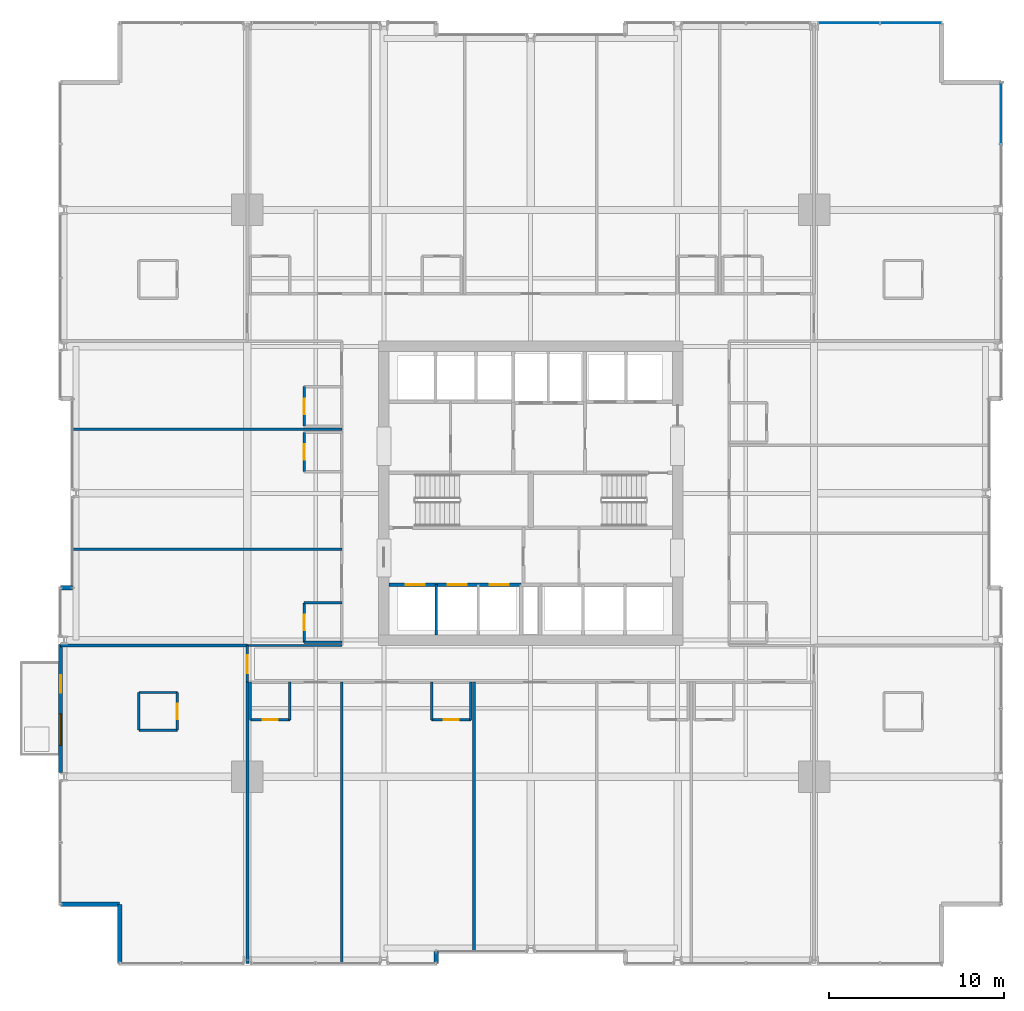
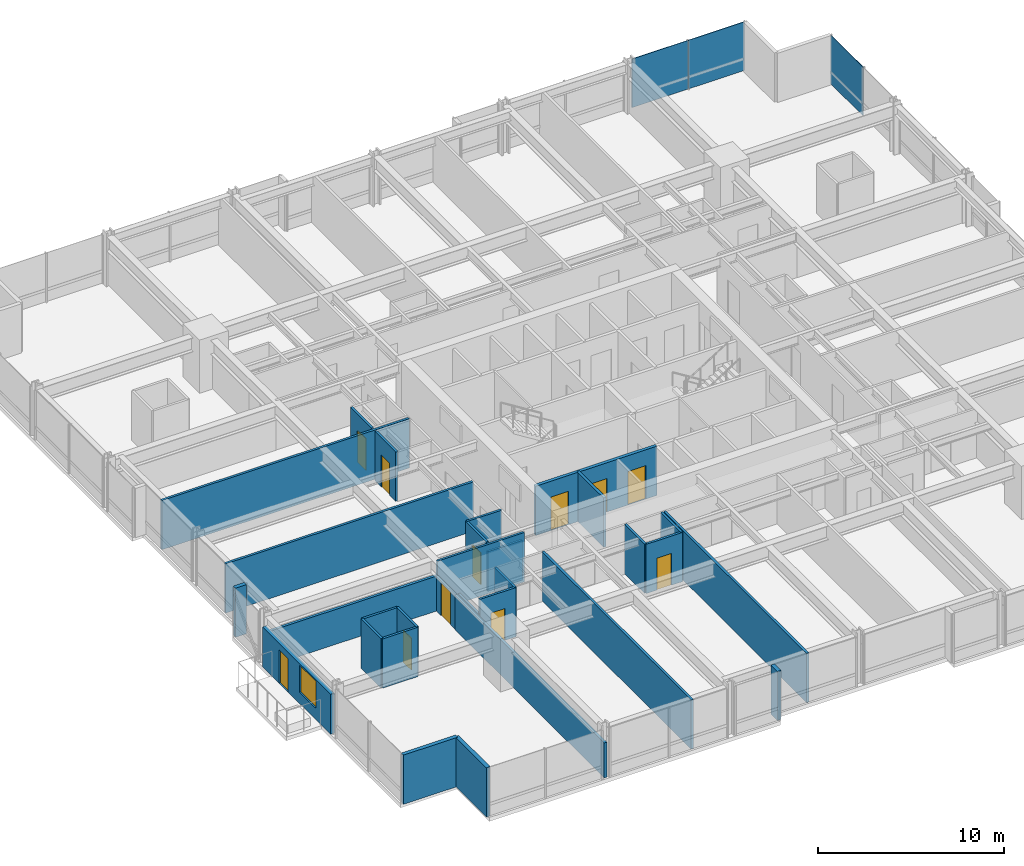
# One storey, part 30 of 39: 30 walls, 11 doors, 3 plates, 1 window, 12 openings, 2 elements without a shape of their own.
"""IFC4 building model written with IfcOpenShell, lengths in metres."""

from ifc_helpers import new_model, si_unit, direction, frame, frame_2d, origin, origin_2d, place, context, subcontext, project, spatial, rectangle, extrude, material, layer, layer_set, type_object, element, fill, aggregate, save


model = new_model("IFC4")

# Units and contexts
model_context = context("Model", 3, precision=1e-05, world=origin(), true_north=direction((0.0, 1.0)))
body_context = subcontext(model_context, "Body", "Model", "MODEL_VIEW")
ifc_project = project(units=[si_unit("LENGTHUNIT", "METRE"), si_unit("AREAUNIT", "SQUARE_METRE"), si_unit("VOLUMEUNIT", "CUBIC_METRE"), si_unit("PLANEANGLEUNIT", "RADIAN"), si_unit("MASSUNIT", "GRAM", prefix="KILO")], contexts=[model_context])

# Site, building, storey
site_placement = place(None, origin())
site = spatial("IfcSite", under=ifc_project, at=site_placement, CompositionType="ELEMENT")
building_placement = place(site_placement, origin())
building = spatial("IfcBuilding", under=site, at=building_placement, Name="Drelvath Grand Hotel", CompositionType="ELEMENT")
storey_placement = place(building_placement, frame((0.0, 0.0, 54.199951171875)))
storey = spatial("IfcBuildingStorey", under=building, at=storey_placement, Name="L12", CompositionType="ELEMENT", Elevation=54.199951171875)

# Curtain wall, plate
ifc_material_1 = material(Name="Warm Bronze Anodised Aluminium Frame", Category="aluminium")
ifc_layer_1 = layer(ifc_material_1, 0.199951171875)
ifc_layer_set_1 = layer_set([ifc_layer_1], Name="Warm Bronze Anodised Aluminium Frame")
curtain_wall_type = type_object("IfcCurtainWallType", Name="Stick Curtain Wall CW-02 Warm Bronze Low-Rise", PredefinedType="NOTDEFINED", material=ifc_layer_set_1)
curtain_wall_1_placement = place(storey_placement, origin())
curtain_wall_1 = element("IfcCurtainWall", 1, at=curtain_wall_1_placement, inside=storey, type_object=curtain_wall_type, Name="L12 CW-02 Curtain Wall CW02-L12-EN3", PredefinedType="NOTDEFINED")
ifc_material_2 = material(Name="Low-E Triple Silver Vision Glass Bronze Tint", Category="glass")
ifc_layer_2 = layer(ifc_material_2, 0.035888671875)
ifc_layer_set_2 = layer_set([ifc_layer_2], Name="Low-E Triple Silver Vision Glass Bronze Tint")
plate_type = type_object("IfcPlateType", Name="Curtain Wall Vision Panel CW-02 36mm", PredefinedType="CURTAIN_PANEL", material=ifc_layer_set_2)
plate_1_placement = place(storey_placement, frame((26.8798828125, 48.735107421875, 0.02001953125), z_axis=(0.0, 0.0, 1.0), x_axis=(0.0, -1.0, 0.0)))
plate_1 = element("IfcPlate", 2, at=plate_1_placement, type_object=plate_type, Name="CW02-L12-EN3 Glazed Panel 1", PredefinedType="CURTAIN_PANEL", context=body_context, shape_type="SweptSolid", body=[
    extrude(rectangle(XDim=3.489501953125, YDim=0.035888671875, at=origin_2d()), origin(), (0.0, 0.0, 1.0), 3.199951171875),
])
aggregate(curtain_wall_1, [plate_1])

# Curtain wall, plates
curtain_wall_2_placement = place(storey_placement, origin())
curtain_wall_2 = element("IfcCurtainWall", 3, at=curtain_wall_2_placement, inside=storey, type_object=curtain_wall_type, Name="L12 CW-02 Curtain Wall CW02-L12-NE3", PredefinedType="NOTDEFINED")
plate_2_placement = place(storey_placement, frame((18.205810546875, 53.8798828125, 0.02001953125), z_axis=(0.0, 0.0, 1.0), x_axis=(1.0, 0.0, 0.0)))
plate_2 = element("IfcPlate", 4, at=plate_2_placement, type_object=plate_type, Name="CW02-L12-NE3 Glazed Panel 1", PredefinedType="CURTAIN_PANEL", context=body_context, shape_type="SweptSolid", body=[
    extrude(rectangle(XDim=3.489501953125, YDim=0.035888671875, at=origin_2d()), origin(), (0.0, 0.0, 1.0), 3.199951171875),
])
plate_3_placement = place(storey_placement, frame((21.735107421875, 53.8798828125, 0.02001953125), z_axis=(0.0, 0.0, 1.0), x_axis=(1.0, 0.0, 0.0)))
plate_3 = element("IfcPlate", 5, at=plate_3_placement, type_object=plate_type, Name="CW02-L12-NE3 Glazed Panel 2", PredefinedType="CURTAIN_PANEL", context=body_context, shape_type="SweptSolid", body=[
    extrude(rectangle(XDim=3.489501953125, YDim=0.035888671875, at=origin_2d()), origin(), (0.0, 0.0, 1.0), 3.199951171875),
])
aggregate(curtain_wall_2, [plate_2, plate_3])

# Wall, openings, doors
ifc_material_3 = material(Name="Concrete C40/50", Category="concrete")
ifc_layer_3 = layer(ifc_material_3, 0.199951171875)
ifc_layer_set_3 = layer_set([ifc_layer_3], Name="Concrete C40/50")
wall_type_1 = type_object("IfcWallType", Name="Core Hoistway Fire Wall 200", PredefinedType="SOLIDWALL", material=ifc_layer_set_3)
wall_1_placement = place(storey_placement, frame((-0.550048828125, 21.780029296875, 0.0), z_axis=(0.0, 0.0, 1.0), x_axis=(-1.0, 0.0, 0.0)))
wall_1 = element("IfcWall", 6, at=wall_1_placement, inside=storey, type_object=wall_type_1, Name="L12 Bank 1 Hoistway Wall", PredefinedType="SOLIDWALL", context=body_context, shape_type="SweptSolid", body=[
    extrude(rectangle(XDim=7.550048828125, YDim=0.199951171875, at=frame_2d((3.77490234375, 0.0))), origin(), (0.0, 0.0, 1.0), 3.239990234375),
])
opening_1_placement = place(wall_1_placement, frame((5.5, 0.0, 0.0)))
opening_1 = element("IfcOpeningElement", 7, at=opening_1_placement, cuts=wall_1, Name="Opening LD-PE-1", PredefinedType="OPENING", context=body_context, shape_type="SweptSolid", body=[
    extrude(rectangle(XDim=1.10009765625, YDim=2.199951171875, at=frame_2d((0.550048828125, 1.10009765625))), frame((0.0, 0.10986328125, 0.0), z_axis=(0.0, -1.0, 0.0), x_axis=(1.0, 0.0, 0.0)), (0.0, 0.0, 1.0), 0.219970703125),
])
opening_2_placement = place(wall_1_placement, frame((3.10009765625, 0.0, 0.0)))
opening_2 = element("IfcOpeningElement", 8, at=opening_2_placement, cuts=wall_1, Name="Opening LD-PE-2", PredefinedType="OPENING", context=body_context, shape_type="SweptSolid", body=[
    extrude(rectangle(XDim=1.10009765625, YDim=2.199951171875, at=frame_2d((0.550048828125, 1.10009765625))), frame((0.0, 0.10986328125, 0.0), z_axis=(0.0, -1.0, 0.0), x_axis=(1.0, 0.0, 0.0)), (0.0, 0.0, 1.0), 0.219970703125),
])
opening_3_placement = place(wall_1_placement, frame((0.699951171875, 0.0, 0.0)))
opening_3 = element("IfcOpeningElement", 9, at=opening_3_placement, cuts=wall_1, Name="Opening LD-PE-3", PredefinedType="OPENING", context=body_context, shape_type="SweptSolid", body=[
    extrude(rectangle(XDim=1.10009765625, YDim=2.199951171875, at=frame_2d((0.550048828125, 1.10009765625))), frame((0.0, 0.10986328125, 0.0), z_axis=(0.0, -1.0, 0.0), x_axis=(1.0, 0.0, 0.0)), (0.0, 0.0, 1.0), 0.219970703125),
])
ifc_material_4 = material(Name="Stainless Steel S355", Category="steel")
door_type_1 = type_object("IfcDoorType", Name="Passenger Lift Sliding Landing Door 1100x2200", OperationType="NOTDEFINED", PredefinedType="DOOR", material=ifc_material_4)
door_1_placement = place(opening_1_placement, origin())
door_1 = element("IfcDoor", 10, at=door_1_placement, inside=storey, type_object=door_type_1, Name="L12 Lift PE-1 Landing Door", OperationType="SLIDING_TO_LEFT", OverallHeight=2.199951171875, OverallWidth=1.10009765625, PredefinedType="DOOR", context=body_context, shape_type="SweptSolid", body=[
    extrude(rectangle(XDim=1.10009765625, YDim=2.199951171875, at=frame_2d((0.550048828125, 1.10009765625))), frame((0.0, 0.02490234375, 0.0), z_axis=(0.0, -1.0, 0.0), x_axis=(1.0, 0.0, 0.0)), (0.0, 0.0, 1.0), 0.050048828125),
])
fill(opening_1, door_1)
door_2_placement = place(opening_2_placement, origin())
door_2 = element("IfcDoor", 11, at=door_2_placement, inside=storey, type_object=door_type_1, Name="L12 Lift PE-2 Landing Door", OperationType="SLIDING_TO_LEFT", OverallHeight=2.199951171875, OverallWidth=1.10009765625, PredefinedType="DOOR", context=body_context, shape_type="SweptSolid", body=[
    extrude(rectangle(XDim=1.10009765625, YDim=2.199951171875, at=frame_2d((0.550048828125, 1.10009765625))), frame((0.0, 0.02490234375, 0.0), z_axis=(0.0, -1.0, 0.0), x_axis=(1.0, 0.0, 0.0)), (0.0, 0.0, 1.0), 0.050048828125),
])
fill(opening_2, door_2)
door_3_placement = place(opening_3_placement, origin())
door_3 = element("IfcDoor", 12, at=door_3_placement, inside=storey, type_object=door_type_1, Name="L12 Lift PE-3 Landing Door", OperationType="SLIDING_TO_LEFT", OverallHeight=2.199951171875, OverallWidth=1.10009765625, PredefinedType="DOOR", context=body_context, shape_type="SweptSolid", body=[
    extrude(rectangle(XDim=1.10009765625, YDim=2.199951171875, at=frame_2d((0.550048828125, 1.10009765625))), frame((0.0, 0.02490234375, 0.0), z_axis=(0.0, -1.0, 0.0), x_axis=(1.0, 0.0, 0.0)), (0.0, 0.0, 1.0), 0.050048828125),
])
fill(opening_3, door_3)

# Walls
ifc_material_5 = material(Name="Gypsum Fireboard Partition")
ifc_layer_4 = layer(ifc_material_5, 0.1650390625)
ifc_layer_set_4 = layer_set([ifc_layer_4], Name="Gypsum Fireboard Partition")
wall_type_2 = type_object("IfcWallType", Name="Core Shaft Partition 165", PredefinedType="PARTITIONING", material=ifc_layer_set_4)
wall_2_placement = place(storey_placement, frame((-5.39990234375, 18.89990234375, 0.0), z_axis=(0.0, 0.0, 1.0), x_axis=(0.0, 1.0, 0.0)))
element("IfcWall", 13, at=wall_2_placement, inside=storey, type_object=wall_type_2, Name="L12 Lift PE-1/2 Divider", PredefinedType="PARTITIONING", context=body_context, shape_type="SweptSolid", body=[
    extrude(rectangle(XDim=2.880126953125, YDim=0.1650390625, at=frame_2d((1.43994140625, 0.0))), origin(), (0.0, 0.0, 1.0), 3.239990234375),
])
ifc_layer_5 = layer(ifc_material_5, 0.135009765625)
ifc_layer_set_5 = layer_set([ifc_layer_5], Name="Gypsum Fireboard Partition")
wall_type_3 = type_object("IfcWallType", Name="Corridor Fire Barrier Wall 135", PredefinedType="PARTITIONING", material=ifc_layer_set_5)
wall_3_placement = place(storey_placement, frame((-16.199951171875, 18.300048828125, 0.0), z_axis=(0.0, 0.0, 1.0), x_axis=(1.0, 0.0, 0.0)))
element("IfcWall", 14, at=wall_3_placement, inside=storey, type_object=wall_type_3, Name="L12 SW Spur Inner Wall", PredefinedType="PARTITIONING", context=body_context, shape_type="SweptSolid", body=[
    extrude(rectangle(XDim=5.39990234375, YDim=0.135009765625, at=frame_2d((2.699951171875, 0.0))), origin(), (0.0, 0.0, 1.0), 3.239990234375),
])

# Wall, opening, door
wall_4_placement = place(storey_placement, frame((-16.199951171875, 16.199951171875, 0.0), z_axis=(0.0, 0.0, 1.0), x_axis=(0.0, 1.0, 0.0)))
wall_4 = element("IfcWall", 15, at=wall_4_placement, inside=storey, type_object=wall_type_3, Name="L12 South Corridor West End", PredefinedType="PARTITIONING", context=body_context, shape_type="SweptSolid", body=[
    extrude(rectangle(XDim=2.10009765625, YDim=0.135009765625, at=frame_2d((1.050048828125, 0.0))), origin(), (0.0, 0.0, 1.0), 2.29833984375),
])
opening_4_placement = place(wall_4_placement, frame((0.52001953125, 0.0, 0.0)))
opening_4 = element("IfcOpeningElement", 16, at=opening_4_placement, cuts=wall_4, Name="Opening D-T1G3-018", PredefinedType="OPENING", context=body_context, shape_type="SweptSolid", body=[
    extrude(rectangle(XDim=1.02001953125, YDim=2.14990234375, at=frame_2d((0.510009765625, 1.074951171875))), frame((0.0, 0.077392578125, 0.0), z_axis=(0.0, -1.0, 0.0), x_axis=(1.0, 0.0, 0.0)), (0.0, 0.0, 1.0), 0.155029296875),
])
ifc_material_6 = material(Name="Hardwood Walnut Timber", Category="wood")
door_type_2 = type_object("IfcDoorType", Name="Amenity Meeting Fire Door 1020x2150", OperationType="NOTDEFINED", PredefinedType="DOOR", material=ifc_material_6)
door_4_placement = place(opening_4_placement, origin())
door_4 = element("IfcDoor", 17, at=door_4_placement, inside=storey, type_object=door_type_2, Name="L12 Corner Suite Entry Door", OperationType="SINGLE_SWING_LEFT", OverallHeight=2.14990234375, OverallWidth=1.02001953125, PredefinedType="DOOR", context=body_context, shape_type="SweptSolid", body=[
    extrude(rectangle(XDim=1.02001953125, YDim=2.14990234375, at=frame_2d((0.510009765625, 1.074951171875))), frame((0.0, 0.02490234375, 0.0), z_axis=(0.0, -1.0, 0.0), x_axis=(1.0, 0.0, 0.0)), (0.0, 0.0, 1.0), 0.050048828125),
])
fill(opening_4, door_4)

# Walls
ifc_material_7 = material(Name="Moisture-Resistant Gypsum Board")
ifc_layer_6 = layer(ifc_material_7, 0.139892578125)
ifc_layer_set_6 = layer_set([ifc_layer_6], Name="Moisture-Resistant Gypsum Board")
wall_type_4 = type_object("IfcWallType", Name="En-Suite Plumbing Wall 140", PredefinedType="PLUMBINGWALL", material=ifc_layer_set_6)
for number, where, z_axis, x_axis, name in (
    (18, (-22.39990234375, 13.4599609375, 0.0), (0.0, 0.0, 1.0), (1.0, 0.0, 0.0), "L12 Corner En-Suite South"),
    (19, (-22.39990234375, 15.610107421875, 0.0), (0.0, 0.0, 1.0), (1.0, 0.0, 0.0), "L12 Corner En-Suite North"),
):
    element("IfcWall", number, at=place(storey_placement, frame(where, z_axis=z_axis, x_axis=x_axis)), inside=storey, type_object=wall_type_4, Name=name, PredefinedType="PLUMBINGWALL", context=body_context, shape_type="SweptSolid", body=[
        extrude(rectangle(XDim=2.199951171875, YDim=0.139892578125, at=frame_2d((1.10009765625, 0.0))), origin(), (0.0, 0.0, 1.0), 3.239990234375),
    ])
wall_5_placement = place(storey_placement, frame((-22.39990234375, 13.4599609375, 0.0), z_axis=(0.0, 0.0, 1.0), x_axis=(0.0, 1.0, 0.0)))
element("IfcWall", 20, at=wall_5_placement, inside=storey, type_object=wall_type_4, Name="L12 Corner En-Suite West", PredefinedType="PLUMBINGWALL", context=body_context, shape_type="SweptSolid", body=[
    extrude(rectangle(XDim=2.150146484375, YDim=0.139892578125, at=frame_2d((1.0751953125, 0.0))), origin(), (0.0, 0.0, 1.0), 3.239990234375),
])

# Wall, opening, door
wall_6_placement = place(storey_placement, frame((-20.199951171875, 13.4599609375, 0.0), z_axis=(0.0, 0.0, 1.0), x_axis=(0.0, 1.0, 0.0)))
wall_6 = element("IfcWall", 21, at=wall_6_placement, inside=storey, type_object=wall_type_4, Name="L12 Corner En-Suite East", PredefinedType="PLUMBINGWALL", context=body_context, shape_type="SweptSolid", body=[
    extrude(rectangle(XDim=2.150146484375, YDim=0.139892578125, at=frame_2d((1.0751953125, 0.0))), origin(), (0.0, 0.0, 1.0), 3.239990234375),
])
opening_5_placement = place(wall_6_placement, frame((0.6201171875, 0.0, 0.0)))
opening_5 = element("IfcOpeningElement", 22, at=opening_5_placement, cuts=wall_6, Name="Opening D-T1G3-017", PredefinedType="OPENING", context=body_context, shape_type="SweptSolid", body=[
    extrude(rectangle(XDim=0.8798828125, YDim=2.10009765625, at=frame_2d((0.43994140625, 1.050048828125))), frame((0.0, 0.079833984375, 0.0), z_axis=(0.0, -1.0, 0.0), x_axis=(1.0, 0.0, 0.0)), (0.0, 0.0, 1.0), 0.159912109375),
])
door_type_3 = type_object("IfcDoorType", Name="En-Suite Bathroom Door 880x2100", OperationType="NOTDEFINED", PredefinedType="DOOR", material=ifc_material_6)
door_5_placement = place(opening_5_placement, origin())
door_5 = element("IfcDoor", 23, at=door_5_placement, inside=storey, type_object=door_type_3, Name="L12 Corner En-Suite Door", OperationType="SINGLE_SWING_RIGHT", OverallHeight=2.10009765625, OverallWidth=0.8798828125, PredefinedType="DOOR", context=body_context, shape_type="SweptSolid", body=[
    extrude(rectangle(XDim=0.8798828125, YDim=2.10009765625, at=frame_2d((0.43994140625, 1.050048828125))), frame((0.0, 0.02490234375, 0.0), z_axis=(0.0, -1.0, 0.0), x_axis=(1.0, 0.0, 0.0)), (0.0, 0.0, 1.0), 0.050048828125),
])
fill(opening_5, door_5)

# Walls
wall_7_placement = place(storey_placement, frame((-16.02001953125, 16.199951171875, 0.0), z_axis=(0.0, 0.0, 1.0), x_axis=(0.0, -1.0, 0.0)))
element("IfcWall", 24, at=wall_7_placement, inside=storey, type_object=wall_type_4, Name="L12 En-Suite Left Wall", PredefinedType="PLUMBINGWALL", context=body_context, shape_type="SweptSolid", body=[
    extrude(rectangle(XDim=2.14990234375, YDim=0.139892578125, at=frame_2d((1.074951171875, 0.0))), origin(), (0.0, 0.0, 1.0), 2.29833984375),
])
wall_8_placement = place(storey_placement, frame((-13.77001953125, 16.199951171875, 0.0), z_axis=(0.0, 0.0, 1.0), x_axis=(0.0, -1.0, 0.0)))
element("IfcWall", 25, at=wall_8_placement, inside=storey, type_object=wall_type_4, Name="L12 En-Suite Right Wall", PredefinedType="PLUMBINGWALL", context=body_context, shape_type="SweptSolid", body=[
    extrude(rectangle(XDim=2.14990234375, YDim=0.139892578125, at=frame_2d((1.074951171875, 0.0))), origin(), (0.0, 0.0, 1.0), 3.239990234375),
])

# Wall, opening, door
wall_9_placement = place(storey_placement, frame((-16.02001953125, 14.050048828125, 0.0), z_axis=(0.0, 0.0, 1.0), x_axis=(1.0, 0.0, 0.0)))
wall_9 = element("IfcWall", 26, at=wall_9_placement, inside=storey, type_object=wall_type_4, Name="L12 En-Suite Front Wall", PredefinedType="PLUMBINGWALL", context=body_context, shape_type="SweptSolid", body=[
    extrude(rectangle(XDim=2.25, YDim=0.139892578125, at=frame_2d((1.125, 0.0))), origin(), (0.0, 0.0, 1.0), 3.239990234375),
])
opening_6_placement = place(wall_9_placement, frame((0.68505859375, 0.0, 0.0)))
opening_6 = element("IfcOpeningElement", 27, at=opening_6_placement, cuts=wall_9, Name="Opening D-T1G3-025", PredefinedType="OPENING", context=body_context, shape_type="SweptSolid", body=[
    extrude(rectangle(XDim=0.8798828125, YDim=2.10009765625, at=frame_2d((0.43994140625, 1.050048828125))), frame((0.0, 0.079833984375, 0.0), z_axis=(0.0, -1.0, 0.0), x_axis=(1.0, 0.0, 0.0)), (0.0, 0.0, 1.0), 0.159912109375),
])
door_6_placement = place(opening_6_placement, origin())
door_6 = element("IfcDoor", 28, at=door_6_placement, inside=storey, type_object=door_type_3, Name="L12 En-Suite Bathroom Door", OperationType="SINGLE_SWING_RIGHT", OverallHeight=2.10009765625, OverallWidth=0.8798828125, PredefinedType="DOOR", context=body_context, shape_type="SweptSolid", body=[
    extrude(rectangle(XDim=0.8798828125, YDim=2.10009765625, at=frame_2d((0.43994140625, 1.050048828125))), frame((0.0, 0.02490234375, 0.0), z_axis=(0.0, -1.0, 0.0), x_axis=(1.0, 0.0, 0.0)), (0.0, 0.0, 1.0), 0.050048828125),
])
fill(opening_6, door_6)

# Walls
for number, where, z_axis, x_axis, name in (
    (29, (-5.669921875, 16.199951171875, 0.0), (0.0, 0.0, 1.0), (0.0, -1.0, 0.0), "L12 En-Suite Left Wall"),
    (30, (-3.419921875, 16.199951171875, 0.0), (0.0, 0.0, 1.0), (0.0, -1.0, 0.0), "L12 En-Suite Right Wall"),
):
    element("IfcWall", number, at=place(storey_placement, frame(where, z_axis=z_axis, x_axis=x_axis)), inside=storey, type_object=wall_type_4, Name=name, PredefinedType="PLUMBINGWALL", context=body_context, shape_type="SweptSolid", body=[
        extrude(rectangle(XDim=2.14990234375, YDim=0.139892578125, at=frame_2d((1.074951171875, 0.0))), origin(), (0.0, 0.0, 1.0), 3.239990234375),
    ])

# Wall, opening, door
wall_10_placement = place(storey_placement, frame((-5.669921875, 14.050048828125, 0.0), z_axis=(0.0, 0.0, 1.0), x_axis=(1.0, 0.0, 0.0)))
wall_10 = element("IfcWall", 31, at=wall_10_placement, inside=storey, type_object=wall_type_4, Name="L12 En-Suite Front Wall", PredefinedType="PLUMBINGWALL", context=body_context, shape_type="SweptSolid", body=[
    extrude(rectangle(XDim=2.25, YDim=0.139892578125, at=frame_2d((1.125, 0.0))), origin(), (0.0, 0.0, 1.0), 3.239990234375),
])
opening_7_placement = place(wall_10_placement, frame((0.68505859375, 0.0, 0.0)))
opening_7 = element("IfcOpeningElement", 32, at=opening_7_placement, cuts=wall_10, Name="Opening D-T1G3-027", PredefinedType="OPENING", context=body_context, shape_type="SweptSolid", body=[
    extrude(rectangle(XDim=0.8798828125, YDim=2.10009765625, at=frame_2d((0.43994140625, 1.050048828125))), frame((0.0, 0.079833984375, 0.0), z_axis=(0.0, -1.0, 0.0), x_axis=(1.0, 0.0, 0.0)), (0.0, 0.0, 1.0), 0.159912109375),
])
door_7_placement = place(opening_7_placement, origin())
door_7 = element("IfcDoor", 33, at=door_7_placement, inside=storey, type_object=door_type_3, Name="L12 En-Suite Bathroom Door", OperationType="SINGLE_SWING_RIGHT", OverallHeight=2.10009765625, OverallWidth=0.8798828125, PredefinedType="DOOR", context=body_context, shape_type="SweptSolid", body=[
    extrude(rectangle(XDim=0.8798828125, YDim=2.10009765625, at=frame_2d((0.43994140625, 1.050048828125))), frame((0.0, 0.02490234375, 0.0), z_axis=(0.0, -1.0, 0.0), x_axis=(1.0, 0.0, 0.0)), (0.0, 0.0, 1.0), 0.050048828125),
])
fill(opening_7, door_7)

# Walls
wall_11_placement = place(storey_placement, frame((-10.800048828125, 18.47998046875, 0.0), z_axis=(0.0, 0.0, 1.0), x_axis=(-1.0, 0.0, 0.0)))
element("IfcWall", 34, at=wall_11_placement, inside=storey, type_object=wall_type_4, Name="L12 En-Suite Left Wall", PredefinedType="PLUMBINGWALL", context=body_context, shape_type="SweptSolid", body=[
    extrude(rectangle(XDim=2.14990234375, YDim=0.139892578125, at=frame_2d((1.074951171875, 0.0))), origin(), (0.0, 0.0, 1.0), 2.617431640625),
])
wall_12_placement = place(storey_placement, frame((-10.800048828125, 20.72998046875, 0.0), z_axis=(0.0, 0.0, 1.0), x_axis=(-1.0, 0.0, 0.0)))
element("IfcWall", 35, at=wall_12_placement, inside=storey, type_object=wall_type_4, Name="L12 En-Suite Right Wall", PredefinedType="PLUMBINGWALL", context=body_context, shape_type="SweptSolid", body=[
    extrude(rectangle(XDim=2.14990234375, YDim=0.139892578125, at=frame_2d((1.074951171875, 0.0))), origin(), (0.0, 0.0, 1.0), 3.239990234375),
])

# Wall, opening, door
wall_13_placement = place(storey_placement, frame((-12.949951171875, 18.47998046875, 0.0), z_axis=(0.0, 0.0, 1.0), x_axis=(0.0, 1.0, 0.0)))
wall_13 = element("IfcWall", 36, at=wall_13_placement, inside=storey, type_object=wall_type_4, Name="L12 En-Suite Front Wall", PredefinedType="PLUMBINGWALL", context=body_context, shape_type="SweptSolid", body=[
    extrude(rectangle(XDim=2.25, YDim=0.139892578125, at=frame_2d((1.125, 0.0))), origin(), (0.0, 0.0, 1.0), 3.239990234375),
])
opening_8_placement = place(wall_13_placement, frame((0.68505859375, 0.0, 0.0)))
opening_8 = element("IfcOpeningElement", 37, at=opening_8_placement, cuts=wall_13, Name="Opening D-T1G3-043", PredefinedType="OPENING", context=body_context, shape_type="SweptSolid", body=[
    extrude(rectangle(XDim=0.8798828125, YDim=2.10009765625, at=frame_2d((0.43994140625, 1.050048828125))), frame((0.0, 0.079833984375, 0.0), z_axis=(0.0, -1.0, 0.0), x_axis=(1.0, 0.0, 0.0)), (0.0, 0.0, 1.0), 0.159912109375),
])
door_8_placement = place(opening_8_placement, origin())
door_8 = element("IfcDoor", 38, at=door_8_placement, inside=storey, type_object=door_type_3, Name="L12 En-Suite Bathroom Door", OperationType="SINGLE_SWING_RIGHT", OverallHeight=2.10009765625, OverallWidth=0.8798828125, PredefinedType="DOOR", context=body_context, shape_type="SweptSolid", body=[
    extrude(rectangle(XDim=0.8798828125, YDim=2.10009765625, at=frame_2d((0.43994140625, 1.050048828125))), frame((0.0, 0.02490234375, 0.0), z_axis=(0.0, -1.0, 0.0), x_axis=(1.0, 0.0, 0.0)), (0.0, 0.0, 1.0), 0.050048828125),
])
fill(opening_8, door_8)

wall_14_placement = place(storey_placement, frame((-12.949951171875, 28.233154296875, 0.0), z_axis=(0.0, 0.0, 1.0), x_axis=(0.0, 1.0, 0.0)))
wall_14 = element("IfcWall", 39, at=wall_14_placement, inside=storey, type_object=wall_type_4, Name="L12 En-Suite Front Wall", PredefinedType="PLUMBINGWALL", context=body_context, shape_type="SweptSolid", body=[
    extrude(rectangle(XDim=2.25, YDim=0.139892578125, at=frame_2d((1.125, 0.0))), origin(), (0.0, 0.0, 1.0), 3.239990234375),
])
opening_9_placement = place(wall_14_placement, frame((0.68505859375, 0.0, 0.0)))
opening_9 = element("IfcOpeningElement", 40, at=opening_9_placement, cuts=wall_14, Name="Opening D-T1G3-045", PredefinedType="OPENING", context=body_context, shape_type="SweptSolid", body=[
    extrude(rectangle(XDim=0.8798828125, YDim=2.10009765625, at=frame_2d((0.43994140625, 1.050048828125))), frame((0.0, 0.079833984375, 0.0), z_axis=(0.0, -1.0, 0.0), x_axis=(1.0, 0.0, 0.0)), (0.0, 0.0, 1.0), 0.159912109375),
])
door_9_placement = place(opening_9_placement, origin())
door_9 = element("IfcDoor", 41, at=door_9_placement, inside=storey, type_object=door_type_3, Name="L12 En-Suite Bathroom Door", OperationType="SINGLE_SWING_RIGHT", OverallHeight=2.10009765625, OverallWidth=0.8798828125, PredefinedType="DOOR", context=body_context, shape_type="SweptSolid", body=[
    extrude(rectangle(XDim=0.8798828125, YDim=2.10009765625, at=frame_2d((0.43994140625, 1.050048828125))), frame((0.0, 0.02490234375, 0.0), z_axis=(0.0, -1.0, 0.0), x_axis=(1.0, 0.0, 0.0)), (0.0, 0.0, 1.0), 0.050048828125),
])
fill(opening_9, door_9)

wall_15_placement = place(storey_placement, frame((-12.949951171875, 30.84326171875, 0.0), z_axis=(0.0, 0.0, 1.0), x_axis=(0.0, 1.0, 0.0)))
wall_15 = element("IfcWall", 42, at=wall_15_placement, inside=storey, type_object=wall_type_4, Name="L12 En-Suite Front Wall", PredefinedType="PLUMBINGWALL", context=body_context, shape_type="SweptSolid", body=[
    extrude(rectangle(XDim=2.25, YDim=0.139892578125, at=frame_2d((1.125, 0.0))), origin(), (0.0, 0.0, 1.0), 3.239990234375),
])
opening_10_placement = place(wall_15_placement, frame((0.68505859375, 0.0, 0.0)))
opening_10 = element("IfcOpeningElement", 43, at=opening_10_placement, cuts=wall_15, Name="Opening D-T1G3-047", PredefinedType="OPENING", context=body_context, shape_type="SweptSolid", body=[
    extrude(rectangle(XDim=0.8798828125, YDim=2.10009765625, at=frame_2d((0.43994140625, 1.050048828125))), frame((0.0, 0.079833984375, 0.0), z_axis=(0.0, -1.0, 0.0), x_axis=(1.0, 0.0, 0.0)), (0.0, 0.0, 1.0), 0.159912109375),
])
door_10_placement = place(opening_10_placement, origin())
door_10 = element("IfcDoor", 44, at=door_10_placement, inside=storey, type_object=door_type_3, Name="L12 En-Suite Bathroom Door", OperationType="SINGLE_SWING_RIGHT", OverallHeight=2.10009765625, OverallWidth=0.8798828125, PredefinedType="DOOR", context=body_context, shape_type="SweptSolid", body=[
    extrude(rectangle(XDim=0.8798828125, YDim=2.10009765625, at=frame_2d((0.43994140625, 1.050048828125))), frame((0.0, 0.02490234375, 0.0), z_axis=(0.0, -1.0, 0.0), x_axis=(1.0, 0.0, 0.0)), (0.0, 0.0, 1.0), 0.050048828125),
])
fill(opening_10, door_10)

# Walls
ifc_material_8 = material(Name="Gypsum Acoustic Partition")
ifc_layer_7 = layer(ifc_material_8, 0.14990234375)
ifc_layer_set_7 = layer_set([ifc_layer_7], Name="Gypsum Acoustic Partition")
wall_type_5 = type_object("IfcWallType", Name="Guestroom Demising Wall 150", PredefinedType="PARTITIONING", material=ifc_layer_set_7)
wall_16_placement = place(storey_placement, frame((-10.800048828125, 0.1201171875, 0.0), z_axis=(0.0, 0.0, 1.0), x_axis=(0.0, 1.0, 0.0)))
element("IfcWall", 45, at=wall_16_placement, inside=storey, type_object=wall_type_5, Name="L12 South Demising 1", PredefinedType="PARTITIONING", context=body_context, shape_type="SweptSolid", body=[
    extrude(rectangle(XDim=16.079833984375, YDim=0.14990234375, at=frame_2d((8.0400390625, 0.0))), origin(), (0.0, 0.0, 1.0), 3.239990234375),
])
for number, where, z_axis, x_axis, name in (
    (46, (-3.239990234375, 0.800048828125, 0.0), (0.0, 0.0, 1.0), (0.0, 1.0, 0.0), "L12 South Demising 2"),
    (47, (-26.199951171875, 23.794677734375, 0.0), (0.0, 0.0, 1.0), (1.0, 0.0, 0.0), "L12 West Demising 1"),
    (48, (-26.199951171875, 30.6630859375, 0.0), (0.0, 0.0, 1.0), (1.0, 0.0, 0.0), "L12 West Demising 2"),
):
    element("IfcWall", number, at=place(storey_placement, frame(where, z_axis=z_axis, x_axis=x_axis)), inside=storey, type_object=wall_type_5, Name=name, PredefinedType="PARTITIONING", context=body_context, shape_type="SweptSolid", body=[
        extrude(rectangle(XDim=15.39990234375, YDim=0.14990234375, at=frame_2d((7.699951171875, 0.0))), origin(), (0.0, 0.0, 1.0), 3.239990234375),
    ])
ifc_layer_8 = layer(ifc_material_8, 0.1650390625)
ifc_layer_set_8 = layer_set([ifc_layer_8], Name="Gypsum Acoustic Partition")
wall_type_6 = type_object("IfcWallType", Name="Suite Demising Wall 165", PredefinedType="PARTITIONING", material=ifc_layer_set_8)
wall_17_placement = place(storey_placement, frame((-16.199951171875, 0.1201171875, 0.0), z_axis=(0.0, 0.0, 1.0), x_axis=(0.0, 1.0, 0.0)))
element("IfcWall", 49, at=wall_17_placement, inside=storey, type_object=wall_type_6, Name="L12 SW Wing Boundary Wall", PredefinedType="PARTITIONING", context=body_context, shape_type="SweptSolid", body=[
    extrude(rectangle(XDim=16.079833984375, YDim=0.1650390625, at=frame_2d((8.0400390625, 0.0))), origin(), (0.0, 0.0, 1.0), 2.29833984375),
])
wall_18_placement = place(storey_placement, frame((-26.8798828125, 18.300048828125, 0.0), z_axis=(0.0, 0.0, 1.0), x_axis=(1.0, 0.0, 0.0)))
element("IfcWall", 50, at=wall_18_placement, inside=storey, type_object=wall_type_6, Name="L12 SW Corner North Wall", PredefinedType="PARTITIONING", context=body_context, shape_type="SweptSolid", body=[
    extrude(rectangle(XDim=10.679931640625, YDim=0.1650390625, at=frame_2d((5.33984375, 0.0))), origin(), (0.0, 0.0, 1.0), 2.29833984375),
])

# Wall, openings, window, door
ifc_material_9 = material(Name="Pale-Metal Insulated Aluminium Spandrel Assembly", Category="aluminium")
ifc_layer_9 = layer(ifc_material_9, 0.239990234375)
ifc_layer_set_9 = layer_set([ifc_layer_9], Name="Pale-Metal Insulated Aluminium Spandrel Assembly")
wall_type_7 = type_object("IfcWallType", Name="Tower Insulated Metal Spandrel Closure Wall 240", PredefinedType="STANDARD", material=ifc_layer_set_9)
wall_19_placement = place(storey_placement, frame((-26.8798828125, 11.041015625, 0.0), z_axis=(0.0, 0.0, 1.0), x_axis=(0.0, 1.0, 0.0)))
wall_19 = element("IfcWall", 51, at=wall_19_placement, inside=storey, type_object=wall_type_7, Name="L12 Exterior Terrace Door Bay Wall WS2", PredefinedType="STANDARD", context=body_context, shape_type="SweptSolid", body=[
    extrude(rectangle(XDim=7.318115234375, YDim=0.239990234375, at=frame_2d((3.6591796875, 0.0))), origin(), (0.0, 0.0, 1.0), 2.629150390625),
])
opening_11_placement = place(wall_19_placement, frame((4.55908203125, 0.0, 0.0)))
opening_11 = element("IfcOpeningElement", 52, at=opening_11_placement, cuts=wall_19, Name="Opening TD-1000", PredefinedType="OPENING", context=body_context, shape_type="SweptSolid", body=[
    extrude(rectangle(XDim=1.0, YDim=2.199951171875, at=frame_2d((0.5, 1.10009765625))), frame((0.0, 0.1298828125, 0.0), z_axis=(0.0, -1.0, 0.0), x_axis=(1.0, 0.0, 0.0)), (0.0, 0.0, 1.0), 0.260009765625),
])
opening_12_placement = place(wall_19_placement, frame((1.552490234375, 0.0, 0.75)))
opening_12 = element("IfcOpeningElement", 53, at=opening_12_placement, cuts=wall_19, Name="Opening W-02", PredefinedType="OPENING", context=body_context, shape_type="SweptSolid", body=[
    extrude(rectangle(XDim=1.800048828125, YDim=1.779052734375, at=frame_2d((0.89990234375, 0.8896484375))), frame((0.0, 0.1298828125, 0.0), z_axis=(0.0, -1.0, 0.0), x_axis=(1.0, 0.0, 0.0)), (0.0, 0.0, 1.0), 0.260009765625),
])
ifc_material_10 = material(Name="Bronze Anodised Low-E Triple Glazing", Category="glass")
window_type = type_object("IfcWindowType", Name="Chicago Double-Pane Podium Window 1800x2400", PartitioningType="DOUBLE_PANEL_VERTICAL", PredefinedType="WINDOW", material=ifc_material_10)
window_placement = place(opening_12_placement, origin())
window = element("IfcWindow", 54, at=window_placement, inside=storey, type_object=window_type, Name="L12 Terrace Bay Companion Window WS2", OverallHeight=1.779052734375, OverallWidth=1.800048828125, PartitioningType="SINGLE_PANEL", PredefinedType="WINDOW", context=body_context, shape_type="SweptSolid", body=[
    extrude(rectangle(XDim=1.800048828125, YDim=1.779052734375, at=frame_2d((0.89990234375, 0.8896484375))), frame((0.0, 0.030029296875, 0.0), z_axis=(0.0, -1.0, 0.0), x_axis=(1.0, 0.0, 0.0)), (0.0, 0.0, 1.0), 0.06005859375),
])
fill(opening_12, window)
ifc_material_11 = material(Name="Anodised Aluminium Thermally Broken Glazed Door", Category="aluminium")
door_type_4 = type_object("IfcDoorType", Name="Terrace and Tree Balcony Glazed Door 1000x2200", OperationType="NOTDEFINED", PredefinedType="DOOR", material=ifc_material_11)
door_11_placement = place(opening_11_placement, origin())
door_11 = element("IfcDoor", 55, at=door_11_placement, inside=storey, type_object=door_type_4, Name="L12 Tree Balcony Door DOOR-L12-TBAL-1", OperationType="SINGLE_SWING_LEFT", OverallHeight=2.199951171875, OverallWidth=1.0, PredefinedType="DOOR", context=body_context, shape_type="SweptSolid", body=[
    extrude(rectangle(XDim=1.0, YDim=2.199951171875, at=frame_2d((0.5, 1.10009765625))), frame((0.0, 0.02490234375, 0.0), z_axis=(0.0, -1.0, 0.0), x_axis=(1.0, 0.0, 0.0)), (0.0, 0.0, 1.0), 0.050048828125),
])
fill(opening_11, door_11)

# Walls
for number, where, z_axis, x_axis, name in (
    (56, (-23.5, 0.1201171875, 0.0), (0.0, 0.0, 1.0), (0.0, 1.0, 0.0), "L12 Notched Corner Return Spandrel Wall CSW1"),
    (57, (-23.5, 3.5, 0.0), (0.0, 0.0, 1.0), (-1.0, 0.0, 0.0), "L12 Notched Corner Return Spandrel Wall CSW2"),
):
    element("IfcWall", number, at=place(storey_placement, frame(where, z_axis=z_axis, x_axis=x_axis)), inside=storey, type_object=wall_type_7, Name=name, PredefinedType="STANDARD", context=body_context, shape_type="SweptSolid", body=[
        extrude(rectangle(XDim=3.3798828125, YDim=0.239990234375, at=frame_2d((1.68994140625, 0.0))), origin(), (0.0, 0.0, 1.0), 3.239990234375),
    ])
for number, where, z_axis, x_axis, name in (
    (58, (-26.8798828125, 21.60009765625, 0.0), (0.0, 0.0, 1.0), (1.0, 0.0, 0.0), "L12 Notched Corner Return Spandrel Wall RW1"),
    (59, (-5.39990234375, 0.800048828125, 0.0), (0.0, 0.0, 1.0), (0.0, -1.0, 0.0), "L12 Notched Corner Return Spandrel Wall RS2"),
):
    element("IfcWall", number, at=place(storey_placement, frame(where, z_axis=z_axis, x_axis=x_axis)), inside=storey, type_object=wall_type_7, Name=name, PredefinedType="STANDARD", context=body_context, shape_type="SweptSolid", body=[
        extrude(rectangle(XDim=0.679931640625, YDim=0.239990234375, at=frame_2d((0.33984375, 0.0))), origin(), (0.0, 0.0, 1.0), 3.239990234375),
    ])

save(model, "model.ifc")
